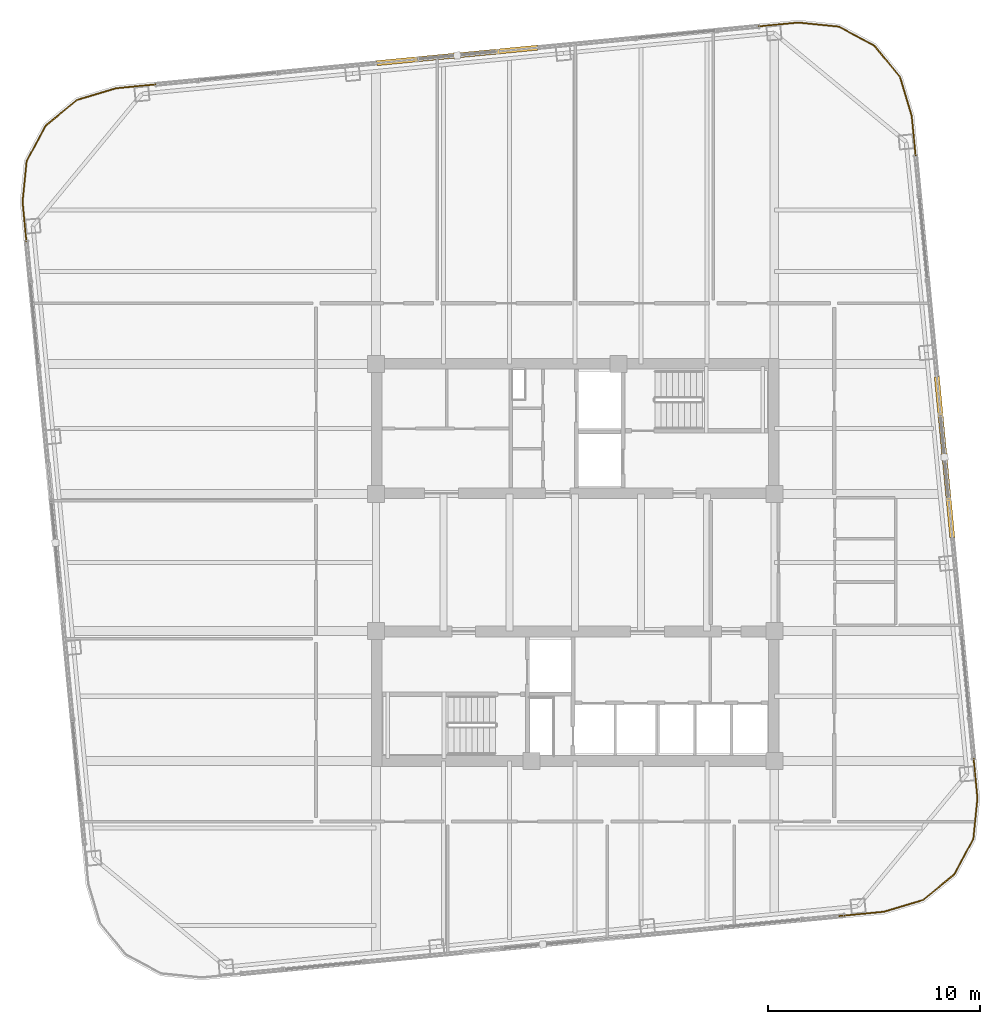
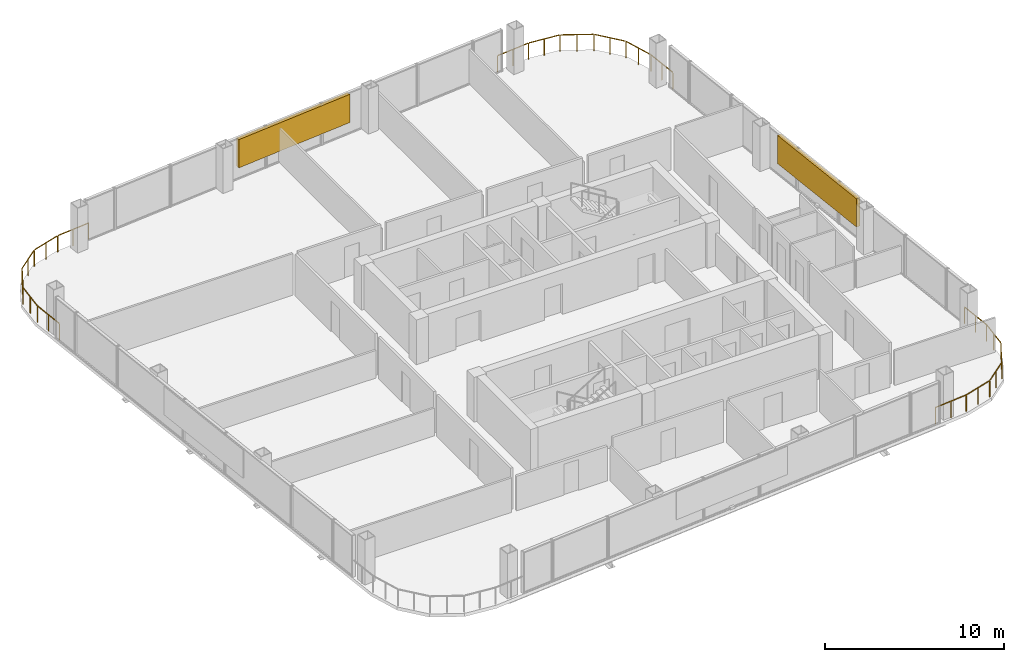
# One storey, part 22 of 22: 4 railings, 2 shading devices.
"""IFC4 building model written with IfcOpenShell, lengths in metres."""

from ifc_helpers import new_model, si_unit, direction, frame, origin, origin_2d, place, context, subcontext, project, spatial, rectangle, extrude, material, type_object, element, save


model = new_model("IFC4")

# Units and contexts
model_context = context("Model", 3, precision=1e-05, world=origin(), true_north=direction((0.0, 1.0)))
body_context = subcontext(model_context, "Body", "Model", "MODEL_VIEW")
ifc_project = project(units=[si_unit("LENGTHUNIT", "METRE"), si_unit("AREAUNIT", "SQUARE_METRE"), si_unit("VOLUMEUNIT", "CUBIC_METRE"), si_unit("PLANEANGLEUNIT", "RADIAN"), si_unit("MASSUNIT", "GRAM", prefix="KILO")], contexts=[model_context])

# Site, building, storey
site_placement = place(None, origin())
site = spatial("IfcSite", under=ifc_project, at=site_placement, CompositionType="ELEMENT")
building_placement = place(site_placement, origin())
building = spatial("IfcBuilding", under=site, at=building_placement, Name="Qhalaya Broadcast Tower", CompositionType="ELEMENT")
storey_placement = place(building_placement, frame((0.0, 0.0, 174.449951171875)))
storey = spatial("IfcBuildingStorey", under=building, at=storey_placement, Name="L51", CompositionType="ELEMENT", Elevation=174.449951171875)

# Railings
ifc_material_1 = material(Name="Powder-Coated Galvanised Steel", Category="steel")
railing_type = type_object("IfcRailingType", Name="Terrace, Sky-Pool & Lookout Glass Balustrade 1150", PredefinedType="BALUSTRADE", material=ifc_material_1)
railing_1_placement = place(storey_placement, frame((14.53955078125, -15.846435546875, 0.0)))
element("IfcRailing", 1, at=railing_1_placement, inside=storey, type_object=railing_type, Name="L51 Rounded Corner Perimeter Guard 01", PredefinedType="BALUSTRADE", context=body_context, shape_type="SweptSolid", body=[
    extrude(rectangle(XDim=0.048095703125, YDim=0.048095703125, at=origin_2d()), frame((0.0, 0.0, 1.1259765625), z_axis=(-0.995402268864, -0.095782687057, 0.0), x_axis=(0.095782687057, -0.995402268864, 0.0)), (0.0, 0.0, 1.0), 2.1181640625),
    extrude(rectangle(XDim=0.0419921875, YDim=0.0419921875, at=origin_2d()), origin(), (0.0, 0.0, 1.0), 1.099853515625),
    extrude(rectangle(XDim=0.0419921875, YDim=0.0419921875, at=origin_2d()), frame((-1.05419921875, -0.1015625, 0.0)), (0.0, 0.0, 1.0), 1.099853515625),
    extrude(rectangle(XDim=0.0419921875, YDim=0.0419921875, at=origin_2d()), frame((-2.1083984375, -0.202880859375, 0.0)), (0.0, 0.0, 1.0), 1.099853515625),
])
railing_2_placement = place(storey_placement, frame((-25.81689453125, 15.479736328125, 0.0)))
element("IfcRailing", 2, at=railing_2_placement, inside=storey, type_object=railing_type, Name="L51 Rounded Corner Perimeter Guard 03", PredefinedType="BALUSTRADE", context=body_context, shape_type="SweptSolid", body=[
    extrude(rectangle(XDim=0.048095703125, YDim=0.048095703125, at=origin_2d()), frame((0.0, 0.0, 1.1259765625), z_axis=(-0.095896889673, 0.995391273094, 0.0), x_axis=(-0.995391273094, -0.095896889673, 0.0)), (0.0, 0.0, 1.0), 2.08935546875),
    extrude(rectangle(XDim=0.048095703125, YDim=0.048095703125, at=origin_2d()), frame((-0.2001953125, 2.13720703125, 1.1259765625), z_axis=(0.100185175984, 0.994968808814, 0.0), x_axis=(-0.994968808814, 0.100185175984, 0.0)), (0.0, 0.0, 1.0), 1.857666015625),
    extrude(rectangle(XDim=0.048095703125, YDim=0.048095703125, at=origin_2d()), frame((0.00244140625, 4.03955078125, 1.1259765625), z_axis=(0.473342342286, 0.880878554058, 0.0), x_axis=(-0.880878554058, 0.473342342286, 0.0)), (0.0, 0.0, 1.0), 1.845458984375),
    extrude(rectangle(XDim=0.048095703125, YDim=0.048095703125, at=origin_2d()), frame((0.912109375, 5.708984375, 1.1259765625), z_axis=(0.774368685352, 0.632734651451, 0.0), x_axis=(-0.632734651451, 0.774368685352, 0.0)), (0.0, 0.0, 1.0), 1.84521484375),
    extrude(rectangle(XDim=0.048095703125, YDim=0.048095703125, at=origin_2d()), frame((2.390869140625, 6.903076171875, 1.1259765625), z_axis=(0.957576860039, 0.288177995547, 0.0), x_axis=(-0.288177995547, 0.957576860039, 0.0)), (0.0, 0.0, 1.0), 1.857666015625),
    extrude(rectangle(XDim=0.048095703125, YDim=0.048095703125, at=origin_2d()), frame((4.226318359375, 7.449462890625, 1.1259765625), z_axis=(0.995402268864, 0.095782687057, 0.0), x_axis=(-0.095782687057, 0.995402268864, 0.0)), (0.0, 0.0, 1.0), 2.08935546875),
    extrude(rectangle(XDim=0.0419921875, YDim=0.0419921875, at=origin_2d()), origin(), (0.0, 0.0, 1.0), 1.099853515625),
    extrude(rectangle(XDim=0.0419921875, YDim=0.0419921875, at=origin_2d()), frame((-0.1015625, 1.05419921875, 0.0)), (0.0, 0.0, 1.0), 1.099853515625),
    extrude(rectangle(XDim=0.0419921875, YDim=0.0419921875, at=origin_2d()), frame((-0.203125, 2.1083984375, 0.0)), (0.0, 0.0, 1.0), 1.099853515625),
    extrude(rectangle(XDim=0.0419921875, YDim=0.0419921875, at=origin_2d()), frame((-0.107177734375, 3.061279296875, 0.0)), (0.0, 0.0, 1.0), 1.099853515625),
    extrude(rectangle(XDim=0.0419921875, YDim=0.0419921875, at=origin_2d()), frame((-0.01123046875, 4.01416015625, 0.0)), (0.0, 0.0, 1.0), 1.099853515625),
    extrude(rectangle(XDim=0.0419921875, YDim=0.0419921875, at=origin_2d()), frame((0.439208984375, 4.8525390625, 0.0)), (0.0, 0.0, 1.0), 1.099853515625),
    extrude(rectangle(XDim=0.0419921875, YDim=0.0419921875, at=origin_2d()), frame((0.8896484375, 5.690673828125, 0.0)), (0.0, 0.0, 1.0), 1.099853515625),
    extrude(rectangle(XDim=0.0419921875, YDim=0.0419921875, at=origin_2d()), frame((1.62646484375, 6.292724609375, 0.0)), (0.0, 0.0, 1.0), 1.099853515625),
    extrude(rectangle(XDim=0.0419921875, YDim=0.0419921875, at=origin_2d()), frame((2.36328125, 6.894775390625, 0.0)), (0.0, 0.0, 1.0), 1.099853515625),
    extrude(rectangle(XDim=0.0419921875, YDim=0.0419921875, at=origin_2d()), frame((3.2802734375, 7.1708984375, 0.0)), (0.0, 0.0, 1.0), 1.099853515625),
    extrude(rectangle(XDim=0.0419921875, YDim=0.0419921875, at=origin_2d()), frame((4.197509765625, 7.44677734375, 0.0)), (0.0, 0.0, 1.0), 1.099853515625),
    extrude(rectangle(XDim=0.0419921875, YDim=0.0419921875, at=origin_2d()), frame((5.251708984375, 7.54833984375, 0.0)), (0.0, 0.0, 1.0), 1.099853515625),
    extrude(rectangle(XDim=0.0419921875, YDim=0.0419921875, at=origin_2d()), frame((6.305908203125, 7.649658203125, 0.0)), (0.0, 0.0, 1.0), 1.099853515625),
])
railing_3_placement = place(storey_placement, frame((8.39990234375, 25.81689453125, 0.0)))
element("IfcRailing", 3, at=railing_3_placement, inside=storey, type_object=railing_type, Name="L51 Rounded Corner Perimeter Guard 04", PredefinedType="BALUSTRADE", context=body_context, shape_type="SweptSolid", body=[
    extrude(rectangle(XDim=0.048095703125, YDim=0.048095703125, at=origin_2d()), frame((0.0, 0.0, 1.1259765625), z_axis=(0.995391273094, 0.095896889673, 0.0), x_axis=(-0.095896889673, 0.995391273094, 0.0)), (0.0, 0.0, 1.0), 2.08935546875),
    extrude(rectangle(XDim=0.048095703125, YDim=0.048095703125, at=origin_2d()), frame((2.13720703125, 0.2001953125, 1.1259765625), z_axis=(0.994967529225, -0.100197883148, 0.0), x_axis=(0.100197883148, 0.994967529225, 0.0)), (0.0, 0.0, 1.0), 1.857421875),
    extrude(rectangle(XDim=0.048095703125, YDim=0.048095703125, at=origin_2d()), frame((4.039306640625, -0.00244140625, 1.1259765625), z_axis=(0.880878554058, -0.473342342286, 0.0), x_axis=(0.473342342286, 0.880878554058, 0.0)), (0.0, 0.0, 1.0), 1.845458984375),
    extrude(rectangle(XDim=0.048095703125, YDim=0.048095703125, at=origin_2d()), frame((5.708740234375, -0.912109375, 1.1259765625), z_axis=(0.632734651451, -0.774368685352, 0.0), x_axis=(0.774368685352, 0.632734651451, 0.0)), (0.0, 0.0, 1.0), 1.84521484375),
    extrude(rectangle(XDim=0.048095703125, YDim=0.048095703125, at=origin_2d()), frame((6.90283203125, -2.390869140625, 1.1259765625), z_axis=(0.288177995547, -0.957576860039, 0.0), x_axis=(0.957576860039, 0.288177995547, 0.0)), (0.0, 0.0, 1.0), 1.857666015625),
    extrude(rectangle(XDim=0.048095703125, YDim=0.048095703125, at=origin_2d()), frame((7.44921875, -4.226318359375, 1.1259765625), z_axis=(0.095782687057, -0.995402268864, 0.0), x_axis=(0.995402268864, 0.095782687057, 0.0)), (0.0, 0.0, 1.0), 2.08935546875),
    extrude(rectangle(XDim=0.0419921875, YDim=0.0419921875, at=origin_2d()), origin(), (0.0, 0.0, 1.0), 1.099853515625),
    extrude(rectangle(XDim=0.0419921875, YDim=0.0419921875, at=origin_2d()), frame((1.05419921875, 0.1015625, 0.0)), (0.0, 0.0, 1.0), 1.099853515625),
    extrude(rectangle(XDim=0.0419921875, YDim=0.0419921875, at=origin_2d()), frame((2.1083984375, 0.203125, 0.0)), (0.0, 0.0, 1.0), 1.099853515625),
    extrude(rectangle(XDim=0.0419921875, YDim=0.0419921875, at=origin_2d()), frame((3.06103515625, 0.107177734375, 0.0)), (0.0, 0.0, 1.0), 1.099853515625),
    extrude(rectangle(XDim=0.0419921875, YDim=0.0419921875, at=origin_2d()), frame((4.013916015625, 0.01123046875, 0.0)), (0.0, 0.0, 1.0), 1.099853515625),
    extrude(rectangle(XDim=0.0419921875, YDim=0.0419921875, at=origin_2d()), frame((4.85205078125, -0.439208984375, 0.0)), (0.0, 0.0, 1.0), 1.099853515625),
    extrude(rectangle(XDim=0.0419921875, YDim=0.0419921875, at=origin_2d()), frame((5.6904296875, -0.8896484375, 0.0)), (0.0, 0.0, 1.0), 1.099853515625),
    extrude(rectangle(XDim=0.0419921875, YDim=0.0419921875, at=origin_2d()), frame((6.29248046875, -1.62646484375, 0.0)), (0.0, 0.0, 1.0), 1.099853515625),
    extrude(rectangle(XDim=0.0419921875, YDim=0.0419921875, at=origin_2d()), frame((6.89453125, -2.36328125, 0.0)), (0.0, 0.0, 1.0), 1.099853515625),
    extrude(rectangle(XDim=0.0419921875, YDim=0.0419921875, at=origin_2d()), frame((7.17041015625, -3.2802734375, 0.0)), (0.0, 0.0, 1.0), 1.099853515625),
    extrude(rectangle(XDim=0.0419921875, YDim=0.0419921875, at=origin_2d()), frame((7.446533203125, -4.197509765625, 0.0)), (0.0, 0.0, 1.0), 1.099853515625),
    extrude(rectangle(XDim=0.0419921875, YDim=0.0419921875, at=origin_2d()), frame((7.5478515625, -5.251708984375, 0.0)), (0.0, 0.0, 1.0), 1.099853515625),
    extrude(rectangle(XDim=0.0419921875, YDim=0.0419921875, at=origin_2d()), frame((7.6494140625, -6.305908203125, 0.0)), (0.0, 0.0, 1.0), 1.099853515625),
])
railing_4_placement = place(storey_placement, frame((18.73681640625, -8.39990234375, 0.0)))
element("IfcRailing", 4, at=railing_4_placement, inside=storey, type_object=railing_type, Name="L51 Rounded Corner Perimeter Guard 05", PredefinedType="BALUSTRADE", context=body_context, shape_type="SweptSolid", body=[
    extrude(rectangle(XDim=0.048095703125, YDim=0.048095703125, at=origin_2d()), frame((0.0, 0.0, 1.1259765625), z_axis=(0.095896889673, -0.995391273094, 0.0), x_axis=(0.995391273094, 0.095896889673, 0.0)), (0.0, 0.0, 1.0), 2.08935546875),
    extrude(rectangle(XDim=0.048095703125, YDim=0.048095703125, at=origin_2d()), frame((0.2001953125, -2.13720703125, 1.1259765625), z_axis=(-0.100197883148, -0.994967529225, 0.0), x_axis=(0.994967529225, -0.100197883148, 0.0)), (0.0, 0.0, 1.0), 1.857421875),
    extrude(rectangle(XDim=0.048095703125, YDim=0.048095703125, at=origin_2d()), frame((-0.00244140625, -4.039306640625, 1.1259765625), z_axis=(-0.473242797018, -0.880932037714, 0.0), x_axis=(0.880932037714, -0.473242797018, 0.0)), (0.0, 0.0, 1.0), 1.845458984375),
    extrude(rectangle(XDim=0.048095703125, YDim=0.048095703125, at=origin_2d()), frame((-0.911865234375, -5.708740234375, 1.1259765625), z_axis=(-0.774420039683, -0.632671796541, 0.0), x_axis=(0.632671796541, -0.774420039683, 0.0)), (0.0, 0.0, 1.0), 1.845458984375),
    extrude(rectangle(XDim=0.048095703125, YDim=0.048095703125, at=origin_2d()), frame((-2.390869140625, -6.90283203125, 1.1259765625), z_axis=(-0.95756627332, -0.288213171456, 0.0), x_axis=(0.288213171456, -0.95756627332, 0.0)), (0.0, 0.0, 1.0), 1.886474609375),
    extrude(rectangle(XDim=0.0419921875, YDim=0.0419921875, at=origin_2d()), origin(), (0.0, 0.0, 1.0), 1.099853515625),
    extrude(rectangle(XDim=0.0419921875, YDim=0.0419921875, at=origin_2d()), frame((0.1015625, -1.05419921875, 0.0)), (0.0, 0.0, 1.0), 1.099853515625),
    extrude(rectangle(XDim=0.0419921875, YDim=0.0419921875, at=origin_2d()), frame((0.203125, -2.1083984375, 0.0)), (0.0, 0.0, 1.0), 1.099853515625),
    extrude(rectangle(XDim=0.0419921875, YDim=0.0419921875, at=origin_2d()), frame((0.107177734375, -3.06103515625, 0.0)), (0.0, 0.0, 1.0), 1.099853515625),
    extrude(rectangle(XDim=0.0419921875, YDim=0.0419921875, at=origin_2d()), frame((0.01123046875, -4.013916015625, 0.0)), (0.0, 0.0, 1.0), 1.099853515625),
    extrude(rectangle(XDim=0.0419921875, YDim=0.0419921875, at=origin_2d()), frame((-0.43896484375, -4.85205078125, 0.0)), (0.0, 0.0, 1.0), 1.099853515625),
    extrude(rectangle(XDim=0.0419921875, YDim=0.0419921875, at=origin_2d()), frame((-0.889404296875, -5.6904296875, 0.0)), (0.0, 0.0, 1.0), 1.099853515625),
    extrude(rectangle(XDim=0.0419921875, YDim=0.0419921875, at=origin_2d()), frame((-1.62646484375, -6.29248046875, 0.0)), (0.0, 0.0, 1.0), 1.099853515625),
    extrude(rectangle(XDim=0.0419921875, YDim=0.0419921875, at=origin_2d()), frame((-2.36328125, -6.89453125, 0.0)), (0.0, 0.0, 1.0), 1.099853515625),
    extrude(rectangle(XDim=0.0419921875, YDim=0.0419921875, at=origin_2d()), frame((-3.2802734375, -7.17041015625, 0.0)), (0.0, 0.0, 1.0), 1.099853515625),
    extrude(rectangle(XDim=0.0419921875, YDim=0.0419921875, at=origin_2d()), frame((-4.197265625, -7.446533203125, 0.0)), (0.0, 0.0, 1.0), 1.099853515625),
])

# Shading devices
ifc_material_2 = material(Name="Fired Architectural Terracotta", Category="masonry")
shading_device_type = type_object("IfcShadingDeviceType", Name="Terracotta Baguette Solar Screen Assembly TBS-01", PredefinedType="USERDEFINED", material=ifc_material_2)
for number, where, z_axis, x_axis, name in (
    (5, (17.393310546875, 5.5556640625, 0.79248046875), (0.0, 0.0, 1.0), (-0.09584575252, 0.995396198367, 0.0), "L51 Fired Terracotta Baguette Screen E"),
    (6, (-5.5556640625, 24.47314453125, 0.79248046875), (0.0, 0.0, 1.0), (-0.995396198367, -0.09584575252, 0.0), "L51 Fired Terracotta Baguette Screen N"),
):
    element("IfcShadingDevice", number, at=place(storey_placement, frame(where, z_axis=z_axis, x_axis=x_axis)), inside=storey, type_object=shading_device_type, Name=name, ObjectType="BAGUETTE", PredefinedType="USERDEFINED", context=body_context, shape_type="SweptSolid", body=[
        extrude(rectangle(XDim=7.60009765625, YDim=0.239990234375, at=origin_2d()), origin(), (0.0, 0.0, 1.0), 1.924072265625),
    ])

save(model, "model.ifc")
